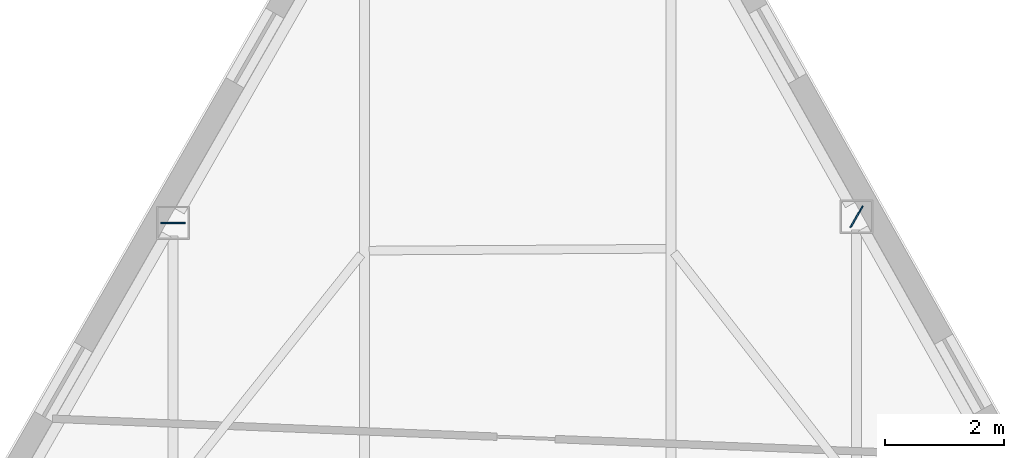
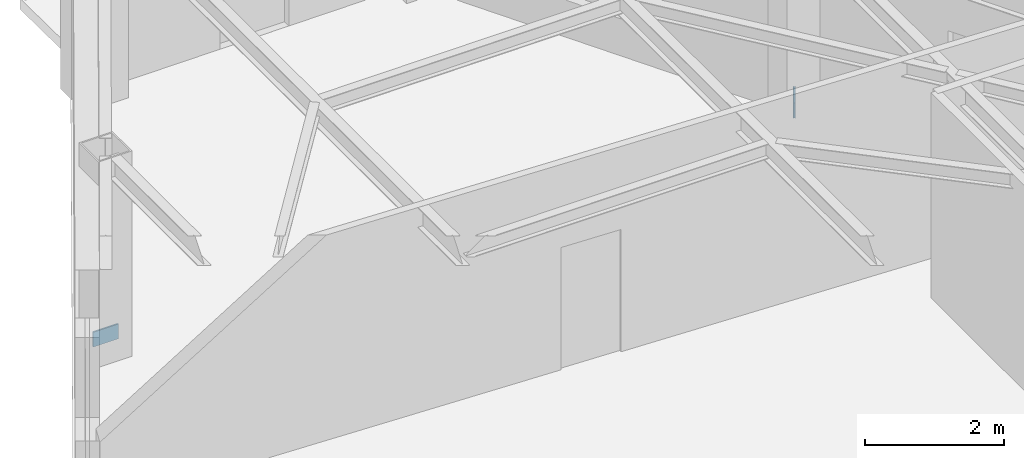
# One storey, part 6 of 11: 2 plates.
"""IFC4 building model written with IfcOpenShell, lengths in metres."""

from ifc_helpers import new_model, si_unit, direction, frame, origin, origin_2d, place, context, subcontext, project, spatial, rectangle, extrude, material, layer, layer_set, type_object, element, save


model = new_model("IFC4")

# Units and contexts
model_context = context("Model", 3, precision=1e-05, world=origin(), true_north=direction((0.0, 1.0)))
body_context = subcontext(model_context, "Body", "Model", "MODEL_VIEW")
ifc_project = project(units=[si_unit("LENGTHUNIT", "METRE"), si_unit("AREAUNIT", "SQUARE_METRE"), si_unit("VOLUMEUNIT", "CUBIC_METRE"), si_unit("PLANEANGLEUNIT", "RADIAN"), si_unit("MASSUNIT", "GRAM", prefix="KILO")], contexts=[model_context])

# Site, building, storey
site_placement = place(None, origin())
site = spatial("IfcSite", under=ifc_project, at=site_placement, CompositionType="ELEMENT")
building_placement = place(site_placement, origin())
building = spatial("IfcBuilding", under=site, at=building_placement, Name="Kavelnor Concourse Tower", CompositionType="ELEMENT")
storey_placement = place(building_placement, frame((0.0, 0.0, 297.25)))
storey = spatial("IfcBuildingStorey", under=building, at=storey_placement, Name="L75", CompositionType="ELEMENT", Elevation=297.25)

# Plates
ifc_material = material(Name="Steel Grade 350", Category="steel")
ifc_layer = layer(ifc_material, 0.02490234375, Name="Steel Grade 350")
ifc_layer_set = layer_set([ifc_layer], Name="Steel Grade 350")
plate_type = type_object("IfcPlateType", Name="PL-SPLICE-FLANGE", PredefinedType="SHEET", material=ifc_layer_set)
for number, where, z_axis, x_axis, name in (
    (1, (32.15087890625, 38.506591796875, 0.169921875), (0.0, 0.0, 1.0), (1.0, 0.0, 0.0), "L75 Column Flange Splice Plate F0-B1"),
    (2, (43.666015625, 38.609130859375, 0.169921875), (0.0, 0.0, 1.0), (-0.5, -0.866025403784, 0.0), "L75 Column Flange Splice Plate F2-B5"),
):
    element("IfcPlate", number, at=place(storey_placement, frame(where, z_axis=z_axis, x_axis=x_axis)), inside=storey, type_object=plate_type, Name=name, PredefinedType="SHEET", context=body_context, shape_type="SweptSolid", body=[
        extrude(rectangle(XDim=0.419921875, YDim=0.02490234375, at=origin_2d()), origin(), (0.0, 0.0, 1.0), 0.260009765625),
    ])

save(model, "model.ifc")
